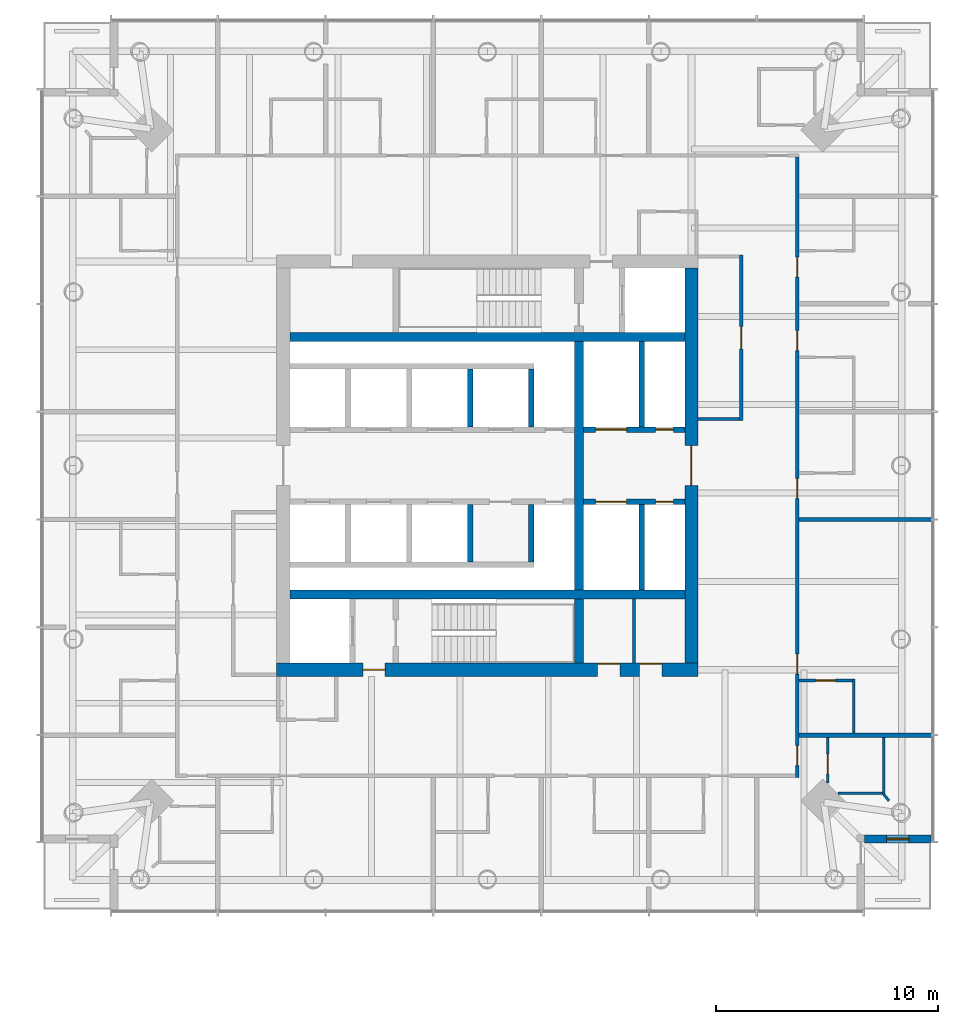
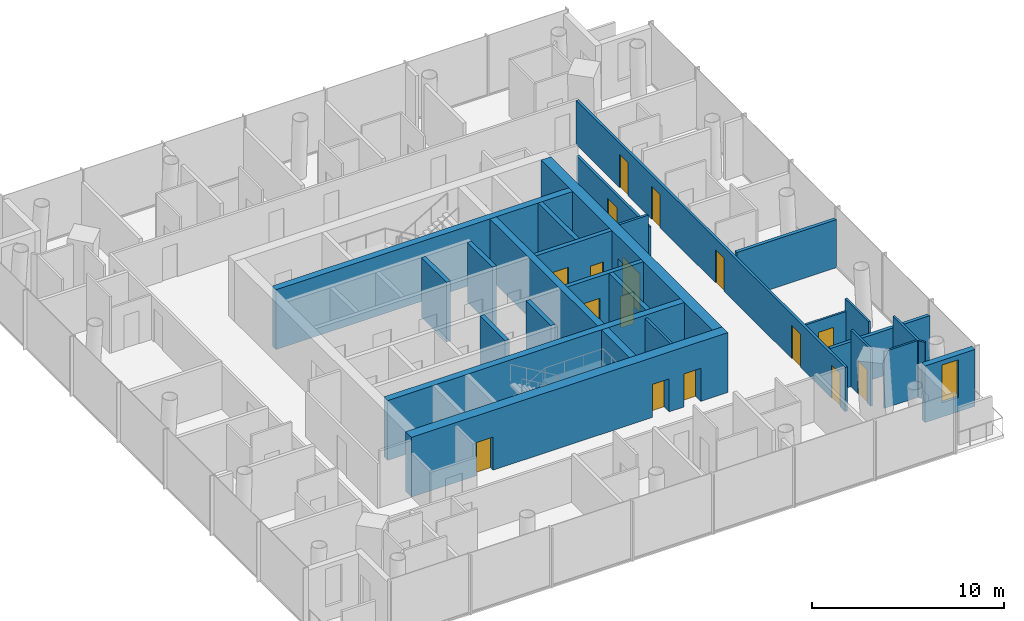
# One storey, part 15 of 20: 27 walls, 16 doors, 1 window, 17 openings.
"""IFC4 building model written with IfcOpenShell, lengths in metres."""

from ifc_helpers import new_model, si_unit, direction, frame, frame_2d, origin, place, context, subcontext, project, spatial, rectangle, extrude, material, layer, layer_set, type_object, element, fill, save


model = new_model("IFC4")

# Units and contexts
model_context = context("Model", 3, precision=1e-05, world=origin(), true_north=direction((0.0, 1.0)))
body_context = subcontext(model_context, "Body", "Model", "MODEL_VIEW")
ifc_project = project(units=[si_unit("LENGTHUNIT", "METRE"), si_unit("AREAUNIT", "SQUARE_METRE"), si_unit("VOLUMEUNIT", "CUBIC_METRE"), si_unit("PLANEANGLEUNIT", "RADIAN"), si_unit("MASSUNIT", "GRAM", prefix="KILO")], contexts=[model_context])

# Site, building, storey
site_placement = place(None, origin())
site = spatial("IfcSite", under=ifc_project, at=site_placement, CompositionType="ELEMENT")
building_placement = place(site_placement, origin())
building = spatial("IfcBuilding", under=site, at=building_placement, Name="Ostroluk Exchange", CompositionType="ELEMENT")
storey_placement = place(building_placement, frame((0.0, 0.0, 28.60009765625)))
storey = spatial("IfcBuildingStorey", under=building, at=storey_placement, Name="L06", CompositionType="ELEMENT", Elevation=28.60009765625)

# Walls
ifc_material_1 = material(Name="Concrete blockwork", Category="masonry")
ifc_layer_1 = layer(ifc_material_1, 0.14990234375)
ifc_layer_set_1 = layer_set([ifc_layer_1], Name="Blockwork plant room wall 150")
wall_type_1 = type_object("IfcWallType", Name="Blockwork plant room wall 150", PredefinedType="SOLIDWALL", material=ifc_layer_set_1)
wall_1_placement = place(storey_placement, frame((123.614990234375, 37.10009765625, 0.0), z_axis=(0.0, 0.0, 1.0), x_axis=(0.0, 1.0, 0.0)))
element("IfcWall", 1, at=wall_1_placement, inside=storey, type_object=wall_type_1, Name="Core room wall", PredefinedType="SOLIDWALL", context=body_context, shape_type="SweptSolid", body=[
    extrude(rectangle(XDim=2.89990234375, YDim=0.14990234375, at=frame_2d((1.449951171875, 0.0))), origin(), (0.0, 0.0, 1.0), 3.599853515625),
])
ifc_material_2 = material(Name="Concrete C50/60", Category="concrete")
ifc_layer_2 = layer(ifc_material_2, 0.39990234375)
ifc_layer_set_2 = layer_set([ifc_layer_2], Name="Core cross wall 400 C50/60")
wall_type_2 = type_object("IfcWallType", Name="Core cross wall 400 C50/60", PredefinedType="SHEAR", material=ifc_layer_set_2)
for number, where, z_axis, x_axis, name in (
    (2, (108.10009765625, 40.199951171875, 0.0), (0.0, 0.0, 1.0), (1.0, 0.0, 0.0), "T2 core wall XS"),
    (3, (108.10009765625, 51.800048828125, 0.0), (0.0, 0.0, 1.0), (1.0, 0.0, 0.0), "T2 core wall XN"),
):
    element("IfcWall", number, at=place(storey_placement, frame(where, z_axis=z_axis, x_axis=x_axis)), inside=storey, type_object=wall_type_2, Name=name, PredefinedType="SHEAR", context=body_context, shape_type="SweptSolid", body=[
        extrude(rectangle(XDim=17.7998046875, YDim=0.39990234375, at=frame_2d((8.89990234375, 0.0))), origin(), (0.0, 0.0, 1.0), 3.7998046875),
    ])
wall_2_placement = place(storey_placement, frame((121.1298828125, 37.10009765625, 0.0), z_axis=(0.0, 0.0, 1.0), x_axis=(0.0, 1.0, 0.0)))
element("IfcWall", 4, at=wall_2_placement, inside=storey, type_object=wall_type_2, Name="T2 core wall YE1", PredefinedType="SHEAR", context=body_context, shape_type="SweptSolid", body=[
    extrude(rectangle(XDim=2.89990234375, YDim=0.39990234375, at=frame_2d((1.449951171875, 0.0))), origin(), (0.0, 0.0, 1.0), 3.7998046875),
])
wall_3_placement = place(storey_placement, frame((121.1298828125, 40.39990234375, 0.0), z_axis=(0.0, 0.0, 1.0), x_axis=(0.0, 1.0, 0.0)))
element("IfcWall", 5, at=wall_3_placement, inside=storey, type_object=wall_type_2, Name="T2 core wall YE2", PredefinedType="SHEAR", context=body_context, shape_type="SweptSolid", body=[
    extrude(rectangle(XDim=11.2001953125, YDim=0.39990234375, at=frame_2d((5.60009765625, 0.0))), origin(), (0.0, 0.0, 1.0), 3.7998046875),
])
ifc_material_3 = material(Name="Concrete C40/50", Category="concrete")
ifc_layer_3 = layer(ifc_material_3, 0.25)
ifc_layer_set_3 = layer_set([ifc_layer_3], Name="Core shaft wall 250")
wall_type_3 = type_object("IfcWallType", Name="Core shaft wall 250", PredefinedType="SHEAR", material=ifc_layer_set_3)
for number, where, z_axis, x_axis, name in (
    (6, (116.22509765625, 47.75, 0.0), (0.0, 0.0, 1.0), (0.0, 1.0, 0.0), "Lift shaft wall"),
    (7, (118.97509765625, 47.75, 0.0), (0.0, 0.0, 1.0), (0.0, 1.0, 0.0), "Lift shaft wall"),
    (8, (116.22509765625, 44.25, 0.0), (0.0, 0.0, 1.0), (0.0, -1.0, 0.0), "Lift shaft wall"),
    (9, (118.97509765625, 44.25, 0.0), (0.0, 0.0, 1.0), (0.0, -1.0, 0.0), "Lift shaft wall"),
):
    element("IfcWall", number, at=place(storey_placement, frame(where, z_axis=z_axis, x_axis=x_axis)), inside=storey, type_object=wall_type_3, Name=name, PredefinedType="SHEAR", context=body_context, shape_type="SweptSolid", body=[
        extrude(rectangle(XDim=2.60009765625, YDim=0.25, at=frame_2d((1.300048828125, 0.0))), origin(), (0.0, 0.0, 1.0), 3.7998046875),
    ])
wall_4_placement = place(storey_placement, frame((123.955078125, 47.75, 0.0), z_axis=(0.0, 0.0, 1.0), x_axis=(0.0, 1.0, 0.0)))
element("IfcWall", 10, at=wall_4_placement, inside=storey, type_object=wall_type_3, Name="Lift shaft wall", PredefinedType="SHEAR", context=body_context, shape_type="SweptSolid", body=[
    extrude(rectangle(XDim=3.85009765625, YDim=0.25, at=frame_2d((1.925048828125, 0.0))), origin(), (0.0, 0.0, 1.0), 3.7998046875),
])

# Wall, openings, doors
wall_5_placement = place(storey_placement, frame((121.330078125, 47.625, 0.0), z_axis=(0.0, 0.0, 1.0), x_axis=(1.0, 0.0, 0.0)))
wall_5 = element("IfcWall", 11, at=wall_5_placement, inside=storey, type_object=wall_type_3, Name="Lift shaft front wall", PredefinedType="SHEAR", context=body_context, shape_type="SweptSolid", body=[
    extrude(rectangle(XDim=4.56982421875, YDim=0.25, at=frame_2d((2.284912109375, 0.0))), origin(), (0.0, 0.0, 1.0), 3.7998046875),
])
opening_1_placement = place(wall_5_placement, frame((0.550048828125, 0.0, 0.0)))
opening_1 = element("IfcOpeningElement", 12, at=opening_1_placement, cuts=wall_5, Name="Opening LD3", PredefinedType="OPENING", context=body_context, shape_type="SweptSolid", body=[
    extrude(rectangle(XDim=1.39990234375, YDim=2.39990234375, at=frame_2d((0.699951171875, 1.199951171875))), frame((0.0, 0.135009765625, 0.0), z_axis=(0.0, -1.0, 0.0), x_axis=(1.0, 0.0, 0.0)), (0.0, 0.0, 1.0), 0.27001953125),
])
opening_2_placement = place(wall_5_placement, frame((3.260009765625, 0.0, 0.0)))
opening_2 = element("IfcOpeningElement", 13, at=opening_2_placement, cuts=wall_5, Name="Opening RD60", PredefinedType="OPENING", context=body_context, shape_type="SweptSolid", body=[
    extrude(rectangle(XDim=0.800048828125, YDim=2.0, at=frame_2d((0.39990234375, 1.0))), frame((0.0, 0.135009765625, 0.0), z_axis=(0.0, -1.0, 0.0), x_axis=(1.0, 0.0, 0.0)), (0.0, 0.0, 1.0), 0.27001953125),
])
ifc_material_4 = material(Name="Stainless steel", Category="steel")
door_type_1 = type_object("IfcDoorType", Name="Goods lift landing door E 60 1400 x 2400", OperationType="DOUBLE_DOOR_SLIDING", PredefinedType="DOOR", material=ifc_material_4)
door_1_placement = place(opening_1_placement, origin())
door_1 = element("IfcDoor", 14, at=door_1_placement, inside=storey, type_object=door_type_1, Name="Lift HS1 landing door", OperationType="DOUBLE_DOOR_SLIDING", OverallHeight=2.39990234375, OverallWidth=1.39990234375, PredefinedType="DOOR", context=body_context, shape_type="SweptSolid", body=[
    extrude(rectangle(XDim=1.39990234375, YDim=2.39990234375, at=frame_2d((0.699951171875, 1.199951171875))), frame((0.0, 0.02490234375, 0.0), z_axis=(0.0, -1.0, 0.0), x_axis=(1.0, 0.0, 0.0)), (0.0, 0.0, 1.0), 0.050048828125),
])
fill(opening_1, door_1)
ifc_material_5 = material(Name="Steel", Category="steel")
door_type_2 = type_object("IfcDoorType", Name="Riser access door EI 60 800 x 2000", OperationType="SINGLE_SWING_LEFT", PredefinedType="DOOR", material=ifc_material_5)
door_2_placement = place(opening_2_placement, origin())
door_2 = element("IfcDoor", 15, at=door_2_placement, inside=storey, type_object=door_type_2, Name="Riser access door", OperationType="SINGLE_SWING_RIGHT", OverallHeight=2.0, OverallWidth=0.800048828125, PredefinedType="DOOR", context=body_context, shape_type="SweptSolid", body=[
    extrude(rectangle(XDim=0.800048828125, YDim=2.0, at=frame_2d((0.39990234375, 1.0))), frame((0.0, 0.02490234375, 0.0), z_axis=(0.0, -1.0, 0.0), x_axis=(1.0, 0.0, 0.0)), (0.0, 0.0, 1.0), 0.050048828125),
])
fill(opening_2, door_2)

# Wall
wall_6_placement = place(storey_placement, frame((123.955078125, 44.25, 0.0), z_axis=(0.0, 0.0, 1.0), x_axis=(0.0, -1.0, 0.0)))
element("IfcWall", 16, at=wall_6_placement, inside=storey, type_object=wall_type_3, Name="Lift shaft wall", PredefinedType="SHEAR", context=body_context, shape_type="SweptSolid", body=[
    extrude(rectangle(XDim=3.85009765625, YDim=0.25, at=frame_2d((1.925048828125, 0.0))), origin(), (0.0, 0.0, 1.0), 3.7998046875),
])

# Wall, openings, doors
wall_7_placement = place(storey_placement, frame((121.330078125, 44.375, 0.0), z_axis=(0.0, 0.0, 1.0), x_axis=(1.0, 0.0, 0.0)))
wall_7 = element("IfcWall", 17, at=wall_7_placement, inside=storey, type_object=wall_type_3, Name="Lift shaft front wall", PredefinedType="SHEAR", context=body_context, shape_type="SweptSolid", body=[
    extrude(rectangle(XDim=4.56982421875, YDim=0.25, at=frame_2d((2.284912109375, 0.0))), origin(), (0.0, 0.0, 1.0), 3.7998046875),
])
opening_3_placement = place(wall_7_placement, frame((0.550048828125, 0.0, 0.0)))
opening_3 = element("IfcOpeningElement", 18, at=opening_3_placement, cuts=wall_7, Name="Opening LD3", PredefinedType="OPENING", context=body_context, shape_type="SweptSolid", body=[
    extrude(rectangle(XDim=1.39990234375, YDim=2.39990234375, at=frame_2d((0.699951171875, 1.199951171875))), frame((0.0, 0.135009765625, 0.0), z_axis=(0.0, -1.0, 0.0), x_axis=(1.0, 0.0, 0.0)), (0.0, 0.0, 1.0), 0.27001953125),
])
opening_4_placement = place(wall_7_placement, frame((3.260009765625, 0.0, 0.0)))
opening_4 = element("IfcOpeningElement", 19, at=opening_4_placement, cuts=wall_7, Name="Opening RD60", PredefinedType="OPENING", context=body_context, shape_type="SweptSolid", body=[
    extrude(rectangle(XDim=0.800048828125, YDim=2.0, at=frame_2d((0.39990234375, 1.0))), frame((0.0, 0.135009765625, 0.0), z_axis=(0.0, -1.0, 0.0), x_axis=(1.0, 0.0, 0.0)), (0.0, 0.0, 1.0), 0.27001953125),
])
door_3_placement = place(opening_3_placement, origin())
door_3 = element("IfcDoor", 20, at=door_3_placement, inside=storey, type_object=door_type_1, Name="Lift HS2 landing door", OperationType="DOUBLE_DOOR_SLIDING", OverallHeight=2.39990234375, OverallWidth=1.39990234375, PredefinedType="DOOR", context=body_context, shape_type="SweptSolid", body=[
    extrude(rectangle(XDim=1.39990234375, YDim=2.39990234375, at=frame_2d((0.699951171875, 1.199951171875))), frame((0.0, 0.02490234375, 0.0), z_axis=(0.0, -1.0, 0.0), x_axis=(1.0, 0.0, 0.0)), (0.0, 0.0, 1.0), 0.050048828125),
])
fill(opening_3, door_3)
door_4_placement = place(opening_4_placement, origin())
door_4 = element("IfcDoor", 21, at=door_4_placement, inside=storey, type_object=door_type_2, Name="Riser access door", OperationType="SINGLE_SWING_RIGHT", OverallHeight=2.0, OverallWidth=0.800048828125, PredefinedType="DOOR", context=body_context, shape_type="SweptSolid", body=[
    extrude(rectangle(XDim=0.800048828125, YDim=2.0, at=frame_2d((0.39990234375, 1.0))), frame((0.0, 0.02490234375, 0.0), z_axis=(0.0, -1.0, 0.0), x_axis=(1.0, 0.0, 0.0)), (0.0, 0.0, 1.0), 0.050048828125),
])
fill(opening_4, door_4)

ifc_material_6 = material(Name="Concrete C50/60", Category="concrete")
ifc_layer_4 = layer(ifc_material_6, 0.60009765625)
ifc_layer_set_4 = layer_set([ifc_layer_4], Name="Core wall 600 C50/60")
wall_type_4 = type_object("IfcWallType", Name="Core wall 600 C50/60", PredefinedType="SHEAR", material=ifc_layer_set_4)
wall_8_placement = place(storey_placement, frame((107.5, 36.800048828125, 0.0), z_axis=(0.0, 0.0, 1.0), x_axis=(1.0, 0.0, 0.0)))
wall_8 = element("IfcWall", 22, at=wall_8_placement, inside=storey, type_object=wall_type_4, Name="T2 core wall S", PredefinedType="SHEAR", context=body_context, shape_type="SweptSolid", body=[
    extrude(rectangle(XDim=19.0, YDim=0.60009765625, at=frame_2d((9.5, 0.0))), origin(), (0.0, 0.0, 1.0), 3.7998046875),
])
opening_5_placement = place(wall_8_placement, frame((3.89990234375, 0.0, 0.0)))
opening_5 = element("IfcOpeningElement", 23, at=opening_5_placement, cuts=wall_8, Name="Opening FD60", PredefinedType="OPENING", context=body_context, shape_type="SweptSolid", body=[
    extrude(rectangle(XDim=1.0, YDim=2.10009765625, at=frame_2d((0.5, 1.050048828125))), frame((0.0, 0.31005859375, 0.0), z_axis=(0.0, -1.0, 0.0), x_axis=(1.0, 0.0, 0.0)), (0.0, 0.0, 1.0), 0.6201171875),
])
opening_6_placement = place(wall_8_placement, frame((14.472412109375, 0.0, 0.0)))
opening_6 = element("IfcOpeningElement", 24, at=opening_6_placement, cuts=wall_8, Name="Opening FD60", PredefinedType="OPENING", context=body_context, shape_type="SweptSolid", body=[
    extrude(rectangle(XDim=1.0, YDim=2.10009765625, at=frame_2d((0.5, 1.050048828125))), frame((0.0, 0.31005859375, 0.0), z_axis=(0.0, -1.0, 0.0), x_axis=(1.0, 0.0, 0.0)), (0.0, 0.0, 1.0), 0.6201171875),
])
opening_7_placement = place(wall_8_placement, frame((16.364990234375, 0.0, 0.0)))
opening_7 = element("IfcOpeningElement", 25, at=opening_7_placement, cuts=wall_8, Name="Opening FD60", PredefinedType="OPENING", context=body_context, shape_type="SweptSolid", body=[
    extrude(rectangle(XDim=1.0, YDim=2.10009765625, at=frame_2d((0.5, 1.050048828125))), frame((0.0, 0.31005859375, 0.0), z_axis=(0.0, -1.0, 0.0), x_axis=(1.0, 0.0, 0.0)), (0.0, 0.0, 1.0), 0.6201171875),
])
ifc_material_7 = material(Name="Steel", Category="steel")
door_type_3 = type_object("IfcDoorType", Name="Fire door EI 60 1000 x 2100", OperationType="SINGLE_SWING_LEFT", PredefinedType="DOOR", material=ifc_material_7)
door_5_placement = place(opening_5_placement, origin())
door_5 = element("IfcDoor", 26, at=door_5_placement, inside=storey, type_object=door_type_3, Name="Firefighting lobby door", OperationType="SINGLE_SWING_LEFT", OverallHeight=2.10009765625, OverallWidth=1.0, PredefinedType="DOOR", context=body_context, shape_type="SweptSolid", body=[
    extrude(rectangle(XDim=1.0, YDim=2.10009765625, at=frame_2d((0.5, 1.050048828125))), frame((0.0, 0.02490234375, 0.0), z_axis=(0.0, -1.0, 0.0), x_axis=(1.0, 0.0, 0.0)), (0.0, 0.0, 1.0), 0.050048828125),
])
fill(opening_5, door_5)
door_6_placement = place(opening_6_placement, origin())
door_6 = element("IfcDoor", 27, at=door_6_placement, inside=storey, type_object=door_type_3, Name="Room-service pantry door", OperationType="SINGLE_SWING_RIGHT", OverallHeight=2.10009765625, OverallWidth=1.0, PredefinedType="DOOR", context=body_context, shape_type="SweptSolid", body=[
    extrude(rectangle(XDim=1.0, YDim=2.10009765625, at=frame_2d((0.5, 1.050048828125))), frame((0.0, 0.2900390625, 0.0), z_axis=(0.0, -1.0, 0.0), x_axis=(1.0, 0.0, 0.0)), (0.0, 0.0, 1.0), 0.050048828125),
])
fill(opening_6, door_6)
door_7_placement = place(opening_7_placement, origin())
door_7 = element("IfcDoor", 28, at=door_7_placement, inside=storey, type_object=door_type_3, Name="Guest pantry door", OperationType="SINGLE_SWING_RIGHT", OverallHeight=2.10009765625, OverallWidth=1.0, PredefinedType="DOOR", context=body_context, shape_type="SweptSolid", body=[
    extrude(rectangle(XDim=1.0, YDim=2.10009765625, at=frame_2d((0.5, 1.050048828125))), frame((0.0, 0.2900390625, 0.0), z_axis=(0.0, -1.0, 0.0), x_axis=(1.0, 0.0, 0.0)), (0.0, 0.0, 1.0), 0.050048828125),
])
fill(opening_7, door_7)

# Wall, opening, door
wall_9_placement = place(storey_placement, frame((126.199951171875, 37.10009765625, 0.0), z_axis=(0.0, 0.0, 1.0), x_axis=(0.0, 1.0, 0.0)))
wall_9 = element("IfcWall", 29, at=wall_9_placement, inside=storey, type_object=wall_type_4, Name="T2 core wall E", PredefinedType="SHEAR", context=body_context, shape_type="SweptSolid", body=[
    extrude(rectangle(XDim=17.7998046875, YDim=0.60009765625, at=frame_2d((8.89990234375, 0.0))), origin(), (0.0, 0.0, 1.0), 3.7998046875),
])
opening_8_placement = place(wall_9_placement, frame((8.0, 0.0, 0.0)))
opening_8 = element("IfcOpeningElement", 30, at=opening_8_placement, cuts=wall_9, Name="Opening FD30D", PredefinedType="OPENING", context=body_context, shape_type="SweptSolid", body=[
    extrude(rectangle(XDim=1.800048828125, YDim=2.39990234375, at=frame_2d((0.89990234375, 1.199951171875))), frame((0.0, 0.31005859375, 0.0), z_axis=(0.0, -1.0, 0.0), x_axis=(1.0, 0.0, 0.0)), (0.0, 0.0, 1.0), 0.6201171875),
])
ifc_material_8 = material(Name="Timber", Category="wood")
door_type_4 = type_object("IfcDoorType", Name="Lobby double door EI 30 1800 x 2400", OperationType="DOUBLE_DOOR_SINGLE_SWING", PredefinedType="DOOR", material=ifc_material_8)
door_8_placement = place(opening_8_placement, origin())
door_8 = element("IfcDoor", 31, at=door_8_placement, inside=storey, type_object=door_type_4, Name="Lift lobby doors", OperationType="DOUBLE_DOOR_SINGLE_SWING", OverallHeight=2.39990234375, OverallWidth=1.800048828125, PredefinedType="DOOR", context=body_context, shape_type="SweptSolid", body=[
    extrude(rectangle(XDim=1.800048828125, YDim=2.39990234375, at=frame_2d((0.89990234375, 1.199951171875))), frame((0.0, 0.02490234375, 0.0), z_axis=(0.0, -1.0, 0.0), x_axis=(1.0, 0.0, 0.0)), (0.0, 0.0, 1.0), 0.050048828125),
])
fill(opening_8, door_8)

# Wall, opening, window
ifc_material_9 = material(Name="Limestone", Category="masonry")
ifc_layer_5 = layer(ifc_material_9, 0.35009765625)
ifc_layer_set_5 = layer_set([ifc_layer_5], Name="Limestone facade wall 350")
wall_type_5 = type_object("IfcWallType", Name="Limestone facade wall 350", PredefinedType="SOLIDWALL", material=ifc_layer_set_5)
wall_10_placement = place(storey_placement, frame((134.0, 29.175048828125, 0.0), z_axis=(0.0, 0.0, 1.0), x_axis=(1.0, 0.0, 0.0)))
wall_10 = element("IfcWall", 32, at=wall_10_placement, inside=storey, type_object=wall_type_5, Name="Hotel tower SE corner wall L06 b", PredefinedType="SOLIDWALL", context=body_context, shape_type="SweptSolid", body=[
    extrude(rectangle(XDim=3.0, YDim=0.35009765625, at=frame_2d((1.5, 0.0))), origin(), (0.0, 0.0, 1.0), 3.599853515625),
])
opening_9_placement = place(wall_10_placement, frame((1.0, 0.0, 0.89990234375)))
opening_9 = element("IfcOpeningElement", 33, at=opening_9_placement, cuts=wall_10, Name="Opening WN-L3", PredefinedType="OPENING", context=body_context, shape_type="SweptSolid", body=[
    extrude(rectangle(XDim=1.0, YDim=2.39990234375, at=frame_2d((0.5, 1.199951171875))), frame((0.0, 0.18505859375, 0.0), z_axis=(0.0, -1.0, 0.0), x_axis=(1.0, 0.0, 0.0)), (0.0, 0.0, 1.0), 0.3701171875),
])
ifc_material_10 = material(Name="Laminated clear glass", Category="glass")
window_type = type_object("IfcWindowType", Name="Hotel lancet window 1000 x 2400", PartitioningType="SINGLE_PANEL", PredefinedType="WINDOW", material=ifc_material_10)
window_placement = place(opening_9_placement, origin())
window = element("IfcWindow", 34, at=window_placement, inside=storey, type_object=window_type, Name="Hotel tower SE lancet window L06", OverallHeight=2.39990234375, OverallWidth=1.0, PartitioningType="SINGLE_PANEL", PredefinedType="WINDOW", context=body_context, shape_type="SweptSolid", body=[
    extrude(rectangle(XDim=1.0, YDim=2.39990234375, at=frame_2d((0.5, 1.199951171875))), frame((0.0, 0.030029296875, 0.0), z_axis=(0.0, -1.0, 0.0), x_axis=(1.0, 0.0, 0.0)), (0.0, 0.0, 1.0), 0.06005859375),
])
fill(opening_9, window)

# Wall, opening, door
ifc_material_11 = material(Name="Gypsum plasterboard partition, moisture resistant", Category="gypsum")
ifc_layer_6 = layer(ifc_material_11, 0.1201171875)
ifc_layer_set_6 = layer_set([ifc_layer_6], Name="Plasterboard en-suite wall 120")
wall_type_6 = type_object("IfcWallType", Name="Plasterboard en-suite wall 120", PredefinedType="PARTITIONING", material=ifc_layer_set_6)
wall_11_placement = place(storey_placement, frame((132.35009765625, 33.757080078125, 0.0), z_axis=(0.0, 0.0, 1.0), x_axis=(0.0, -1.0, 0.0)))
wall_11 = element("IfcWall", 35, at=wall_11_placement, inside=storey, type_object=wall_type_6, Name="En-suite wall", PredefinedType="PARTITIONING", context=body_context, shape_type="SweptSolid", body=[
    extrude(rectangle(XDim=2.05712890625, YDim=0.1201171875, at=frame_2d((1.028564453125, 0.0))), origin(), (0.0, 0.0, 1.0), 3.599853515625),
])
opening_10_placement = place(wall_11_placement, frame((0.75, 0.0, 0.0)))
opening_10 = element("IfcOpeningElement", 36, at=opening_10_placement, cuts=wall_11, Name="Opening D-02", PredefinedType="OPENING", context=body_context, shape_type="SweptSolid", body=[
    extrude(rectangle(XDim=0.89990234375, YDim=2.10009765625, at=frame_2d((0.449951171875, 1.050048828125))), frame((0.0, 0.070068359375, 0.0), z_axis=(0.0, -1.0, 0.0), x_axis=(1.0, 0.0, 0.0)), (0.0, 0.0, 1.0), 0.14013671875),
])
ifc_material_12 = material(Name="Timber", Category="wood")
door_type_5 = type_object("IfcDoorType", Name="En-suite door 900 x 2100", OperationType="SINGLE_SWING_LEFT", PredefinedType="DOOR", material=ifc_material_12)
door_9_placement = place(opening_10_placement, origin())
door_9 = element("IfcDoor", 37, at=door_9_placement, inside=storey, type_object=door_type_5, Name="En-suite door 601", OperationType="SINGLE_SWING_RIGHT", OverallHeight=2.10009765625, OverallWidth=0.89990234375, PredefinedType="DOOR", context=body_context, shape_type="SweptSolid", body=[
    extrude(rectangle(XDim=0.89990234375, YDim=2.10009765625, at=frame_2d((0.449951171875, 1.050048828125))), frame((0.0, 0.02490234375, 0.0), z_axis=(0.0, -1.0, 0.0), x_axis=(1.0, 0.0, 0.0)), (0.0, 0.0, 1.0), 0.050048828125),
])
fill(opening_10, door_9)

# Walls
wall_12_placement = place(storey_placement, frame((134.8701171875, 33.757080078125, 0.0), z_axis=(0.0, 0.0, 1.0), x_axis=(0.0, -1.0, 0.0)))
element("IfcWall", 38, at=wall_12_placement, inside=storey, type_object=wall_type_6, Name="En-suite wall", PredefinedType="PARTITIONING", context=body_context, shape_type="SweptSolid", body=[
    extrude(rectangle(XDim=2.579833984375, YDim=0.1201171875, at=frame_2d((1.2900390625, 0.0))), origin(), (0.0, 0.0, 1.0), 3.599853515625),
])
wall_13_placement = place(storey_placement, frame((132.812744140625, 31.237060546875, 0.0), z_axis=(0.0, 0.0, 1.0), x_axis=(1.0, 0.0, 0.0)))
element("IfcWall", 39, at=wall_13_placement, inside=storey, type_object=wall_type_6, Name="En-suite wall", PredefinedType="PARTITIONING", context=body_context, shape_type="SweptSolid", body=[
    extrude(rectangle(XDim=1.997314453125, YDim=0.1201171875, at=frame_2d((0.99853515625, 0.0))), origin(), (0.0, 0.0, 1.0), 3.599853515625),
])
wall_14_placement = place(storey_placement, frame((133.510009765625, 33.95703125, 0.0), z_axis=(0.0, 0.0, 1.0), x_axis=(0.0, 1.0, 0.0)))
element("IfcWall", 40, at=wall_14_placement, inside=storey, type_object=wall_type_6, Name="En-suite wall", PredefinedType="PARTITIONING", context=body_context, shape_type="SweptSolid", body=[
    extrude(rectangle(XDim=2.420166015625, YDim=0.1201171875, at=frame_2d((1.2099609375, 0.0))), origin(), (0.0, 0.0, 1.0), 3.599853515625),
])

# Wall, opening, door
wall_15_placement = place(storey_placement, frame((131.050048828125, 36.317138671875, 0.0), z_axis=(0.0, 0.0, 1.0), x_axis=(1.0, 0.0, 0.0)))
wall_15 = element("IfcWall", 41, at=wall_15_placement, inside=storey, type_object=wall_type_6, Name="En-suite wall", PredefinedType="PARTITIONING", context=body_context, shape_type="SweptSolid", body=[
    extrude(rectangle(XDim=2.39990234375, YDim=0.1201171875, at=frame_2d((1.199951171875, 0.0))), origin(), (0.0, 0.0, 1.0), 2.846923828125),
])
opening_11_placement = place(wall_15_placement, frame((0.75, 0.0, 0.0)))
opening_11 = element("IfcOpeningElement", 42, at=opening_11_placement, cuts=wall_15, Name="Opening D-02", PredefinedType="OPENING", context=body_context, shape_type="SweptSolid", body=[
    extrude(rectangle(XDim=0.89990234375, YDim=2.10009765625, at=frame_2d((0.449951171875, 1.050048828125))), frame((0.0, 0.070068359375, 0.0), z_axis=(0.0, -1.0, 0.0), x_axis=(1.0, 0.0, 0.0)), (0.0, 0.0, 1.0), 0.14013671875),
])
door_10_placement = place(opening_11_placement, origin())
door_10 = element("IfcDoor", 43, at=door_10_placement, inside=storey, type_object=door_type_5, Name="En-suite door 602", OperationType="SINGLE_SWING_RIGHT", OverallHeight=2.10009765625, OverallWidth=0.89990234375, PredefinedType="DOOR", context=body_context, shape_type="SweptSolid", body=[
    extrude(rectangle(XDim=0.89990234375, YDim=2.10009765625, at=frame_2d((0.449951171875, 1.050048828125))), frame((0.0, 0.02490234375, 0.0), z_axis=(0.0, -1.0, 0.0), x_axis=(1.0, 0.0, 0.0)), (0.0, 0.0, 1.0), 0.050048828125),
])
fill(opening_11, door_10)

# Wall
wall_16_placement = place(storey_placement, frame((134.8701171875, 31.17724609375, 0.0), z_axis=(0.0, 0.0, 1.0), x_axis=(0.638860529582, -0.76932257457, 0.0)))
element("IfcWall", 44, at=wall_16_placement, inside=storey, type_object=wall_type_6, Name="En-suite wall", PredefinedType="PARTITIONING", context=body_context, shape_type="SweptSolid", body=[
    extrude(rectangle(XDim=0.363037109375, YDim=0.1201171875, at=frame_2d((0.181640625, 0.0))), origin(), (0.0, 0.0, 1.0), 3.599853515625),
])

# Wall, opening, door
ifc_material_13 = material(Name="Gypsum plasterboard partition", Category="gypsum")
ifc_layer_7 = layer(ifc_material_13, 0.14990234375)
ifc_layer_set_7 = layer_set([ifc_layer_7], Name="Plasterboard partition 150")
wall_type_7 = type_object("IfcWallType", Name="Plasterboard partition 150", PredefinedType="PARTITIONING", material=ifc_layer_set_7)
wall_17_placement = place(storey_placement, frame((128.449951171875, 48.02490234375, 0.0), z_axis=(0.0, 0.0, 1.0), x_axis=(0.0, 1.0, 0.0)))
wall_17 = element("IfcWall", 45, at=wall_17_placement, inside=storey, type_object=wall_type_7, Name="Partition", PredefinedType="PARTITIONING", context=body_context, shape_type="SweptSolid", body=[
    extrude(rectangle(XDim=7.47509765625, YDim=0.14990234375, at=frame_2d((3.737548828125, 0.0))), origin(), (0.0, 0.0, 1.0), 2.846923828125),
])
opening_12_placement = place(wall_17_placement, frame((3.237548828125, 0.0, 0.0)))
opening_12 = element("IfcOpeningElement", 46, at=opening_12_placement, cuts=wall_17, Name="Opening D-03", PredefinedType="OPENING", context=body_context, shape_type="SweptSolid", body=[
    extrude(rectangle(XDim=1.0, YDim=2.10009765625, at=frame_2d((0.5, 1.050048828125))), frame((0.0, 0.0849609375, 0.0), z_axis=(0.0, -1.0, 0.0), x_axis=(1.0, 0.0, 0.0)), (0.0, 0.0, 1.0), 0.169921875),
])
ifc_material_14 = material(Name="Timber", Category="wood")
door_type_6 = type_object("IfcDoorType", Name="Internal door 1000 x 2100", OperationType="SINGLE_SWING_LEFT", PredefinedType="DOOR", material=ifc_material_14)
door_11_placement = place(opening_12_placement, origin())
door_11 = element("IfcDoor", 47, at=door_11_placement, inside=storey, type_object=door_type_6, Name="Vending and ice room door", OperationType="SINGLE_SWING_LEFT", OverallHeight=2.10009765625, OverallWidth=1.0, PredefinedType="DOOR", context=body_context, shape_type="SweptSolid", body=[
    extrude(rectangle(XDim=1.0, YDim=2.10009765625, at=frame_2d((0.5, 1.050048828125))), frame((0.0, 0.02490234375, 0.0), z_axis=(0.0, -1.0, 0.0), x_axis=(1.0, 0.0, 0.0)), (0.0, 0.0, 1.0), 0.050048828125),
])
fill(opening_12, door_11)

# Wall
wall_18_placement = place(storey_placement, frame((126.5, 48.10009765625, 0.0), z_axis=(0.0, 0.0, 1.0), x_axis=(1.0, 0.0, 0.0)))
element("IfcWall", 48, at=wall_18_placement, inside=storey, type_object=wall_type_7, Name="Partition", PredefinedType="PARTITIONING", context=body_context, shape_type="SweptSolid", body=[
    extrude(rectangle(XDim=1.875, YDim=0.14990234375, at=frame_2d((0.9375, 0.0))), origin(), (0.0, 0.0, 1.0), 3.599853515625),
])

# Wall, openings, doors
wall_19_placement = place(storey_placement, frame((130.97509765625, 31.949951171875, 0.0), z_axis=(0.0, 0.0, 1.0), x_axis=(0.0, 1.0, 0.0)))
wall_19 = element("IfcWall", 49, at=wall_19_placement, inside=storey, type_object=wall_type_7, Name="Corridor wall", PredefinedType="PARTITIONING", context=body_context, shape_type="SweptSolid", body=[
    extrude(rectangle(XDim=27.949951171875, YDim=0.14990234375, at=frame_2d((13.97509765625, 0.0))), origin(), (0.0, 0.0, 1.0), 2.7998046875),
])
opening_13_placement = place(wall_19_placement, frame((0.528564453125, 0.0, 0.0)))
opening_13 = element("IfcOpeningElement", 50, at=opening_13_placement, cuts=wall_19, Name="Opening D-01", PredefinedType="OPENING", context=body_context, shape_type="SweptSolid", body=[
    extrude(rectangle(XDim=0.89990234375, YDim=2.10009765625, at=frame_2d((0.449951171875, 1.050048828125))), frame((0.0, 0.0849609375, 0.0), z_axis=(0.0, -1.0, 0.0), x_axis=(1.0, 0.0, 0.0)), (0.0, 0.0, 1.0), 0.169921875),
])
opening_14_placement = place(wall_19_placement, frame((4.6572265625, 0.0, 0.0)))
opening_14 = element("IfcOpeningElement", 51, at=opening_14_placement, cuts=wall_19, Name="Opening D-01", PredefinedType="OPENING", context=body_context, shape_type="SweptSolid", body=[
    extrude(rectangle(XDim=0.89990234375, YDim=2.10009765625, at=frame_2d((0.449951171875, 1.050048828125))), frame((0.0, 0.0849609375, 0.0), z_axis=(0.0, -1.0, 0.0), x_axis=(1.0, 0.0, 0.0)), (0.0, 0.0, 1.0), 0.169921875),
])
opening_15_placement = place(wall_19_placement, frame((12.57861328125, 0.0, 0.0)))
opening_15 = element("IfcOpeningElement", 52, at=opening_15_placement, cuts=wall_19, Name="Opening D-01", PredefinedType="OPENING", context=body_context, shape_type="SweptSolid", body=[
    extrude(rectangle(XDim=0.89990234375, YDim=2.10009765625, at=frame_2d((0.449951171875, 1.050048828125))), frame((0.0, 0.0849609375, 0.0), z_axis=(0.0, -1.0, 0.0), x_axis=(1.0, 0.0, 0.0)), (0.0, 0.0, 1.0), 0.169921875),
])
opening_16_placement = place(wall_19_placement, frame((19.228515625, 0.0, 0.0)))
opening_16 = element("IfcOpeningElement", 53, at=opening_16_placement, cuts=wall_19, Name="Opening D-01", PredefinedType="OPENING", context=body_context, shape_type="SweptSolid", body=[
    extrude(rectangle(XDim=0.89990234375, YDim=2.10009765625, at=frame_2d((0.449951171875, 1.050048828125))), frame((0.0, 0.0849609375, 0.0), z_axis=(0.0, -1.0, 0.0), x_axis=(1.0, 0.0, 0.0)), (0.0, 0.0, 1.0), 0.169921875),
])
opening_17_placement = place(wall_19_placement, frame((22.54296875, 0.0, 0.0)))
opening_17 = element("IfcOpeningElement", 54, at=opening_17_placement, cuts=wall_19, Name="Opening D-01", PredefinedType="OPENING", context=body_context, shape_type="SweptSolid", body=[
    extrude(rectangle(XDim=0.89990234375, YDim=2.10009765625, at=frame_2d((0.449951171875, 1.050048828125))), frame((0.0, 0.0849609375, 0.0), z_axis=(0.0, -1.0, 0.0), x_axis=(1.0, 0.0, 0.0)), (0.0, 0.0, 1.0), 0.169921875),
])
ifc_material_15 = material(Name="Timber", Category="wood")
door_type_7 = type_object("IfcDoorType", Name="Hotel room door EI 30 Sa 900 x 2100", OperationType="SINGLE_SWING_LEFT", PredefinedType="DOOR", material=ifc_material_15)
door_12_placement = place(opening_13_placement, origin())
door_12 = element("IfcDoor", 55, at=door_12_placement, inside=storey, type_object=door_type_7, Name="Room door 601", OperationType="SINGLE_SWING_LEFT", OverallHeight=2.10009765625, OverallWidth=0.89990234375, PredefinedType="DOOR", context=body_context, shape_type="SweptSolid", body=[
    extrude(rectangle(XDim=0.89990234375, YDim=2.10009765625, at=frame_2d((0.449951171875, 1.050048828125))), frame((0.0, 0.02490234375, 0.0), z_axis=(0.0, -1.0, 0.0), x_axis=(1.0, 0.0, 0.0)), (0.0, 0.0, 1.0), 0.050048828125),
])
fill(opening_13, door_12)
door_13_placement = place(opening_14_placement, origin())
door_13 = element("IfcDoor", 56, at=door_13_placement, inside=storey, type_object=door_type_7, Name="Room door 602", OperationType="SINGLE_SWING_LEFT", OverallHeight=2.10009765625, OverallWidth=0.89990234375, PredefinedType="DOOR", context=body_context, shape_type="SweptSolid", body=[
    extrude(rectangle(XDim=0.89990234375, YDim=2.10009765625, at=frame_2d((0.449951171875, 1.050048828125))), frame((0.0, 0.02490234375, 0.0), z_axis=(0.0, -1.0, 0.0), x_axis=(1.0, 0.0, 0.0)), (0.0, 0.0, 1.0), 0.050048828125),
])
fill(opening_14, door_13)
door_14_placement = place(opening_15_placement, origin())
door_14 = element("IfcDoor", 57, at=door_14_placement, inside=storey, type_object=door_type_7, Name="Room door 603", OperationType="SINGLE_SWING_LEFT", OverallHeight=2.10009765625, OverallWidth=0.89990234375, PredefinedType="DOOR", context=body_context, shape_type="SweptSolid", body=[
    extrude(rectangle(XDim=0.89990234375, YDim=2.10009765625, at=frame_2d((0.449951171875, 1.050048828125))), frame((0.0, 0.02490234375, 0.0), z_axis=(0.0, -1.0, 0.0), x_axis=(1.0, 0.0, 0.0)), (0.0, 0.0, 1.0), 0.050048828125),
])
fill(opening_15, door_14)
door_15_placement = place(opening_16_placement, origin())
door_15 = element("IfcDoor", 58, at=door_15_placement, inside=storey, type_object=door_type_7, Name="Room door 604", OperationType="SINGLE_SWING_RIGHT", OverallHeight=2.10009765625, OverallWidth=0.89990234375, PredefinedType="DOOR", context=body_context, shape_type="SweptSolid", body=[
    extrude(rectangle(XDim=0.89990234375, YDim=2.10009765625, at=frame_2d((0.449951171875, 1.050048828125))), frame((0.0, 0.02490234375, 0.0), z_axis=(0.0, -1.0, 0.0), x_axis=(1.0, 0.0, 0.0)), (0.0, 0.0, 1.0), 0.050048828125),
])
fill(opening_16, door_15)
door_16_placement = place(opening_17_placement, origin())
door_16 = element("IfcDoor", 59, at=door_16_placement, inside=storey, type_object=door_type_7, Name="Room door 605", OperationType="SINGLE_SWING_RIGHT", OverallHeight=2.10009765625, OverallWidth=0.89990234375, PredefinedType="DOOR", context=body_context, shape_type="SweptSolid", body=[
    extrude(rectangle(XDim=0.89990234375, YDim=2.10009765625, at=frame_2d((0.449951171875, 1.050048828125))), frame((0.0, 0.02490234375, 0.0), z_axis=(0.0, -1.0, 0.0), x_axis=(1.0, 0.0, 0.0)), (0.0, 0.0, 1.0), 0.050048828125),
])
fill(opening_17, door_16)

# Walls
ifc_material_16 = material(Name="Gypsum plasterboard partition", Category="gypsum")
ifc_layer_8 = layer(ifc_material_16, 0.199951171875)
ifc_layer_set_8 = layer_set([ifc_layer_8], Name="Plasterboard party wall 200")
wall_type_8 = type_object("IfcWallType", Name="Plasterboard party wall 200", PredefinedType="PARTITIONING", material=ifc_layer_set_8)
wall_20_placement = place(storey_placement, frame((131.050048828125, 33.857177734375, 0.0), z_axis=(0.0, 0.0, 1.0), x_axis=(1.0, 0.0, 0.0)))
element("IfcWall", 60, at=wall_20_placement, inside=storey, type_object=wall_type_8, Name="Party wall", PredefinedType="PARTITIONING", context=body_context, shape_type="SweptSolid", body=[
    extrude(rectangle(XDim=5.989990234375, YDim=0.199951171875, at=frame_2d((2.9951171875, 0.0))), origin(), (0.0, 0.0, 1.0), 2.846923828125),
])
wall_21_placement = place(storey_placement, frame((131.050048828125, 43.571533203125, 0.0), z_axis=(0.0, 0.0, 1.0), x_axis=(1.0, 0.0, 0.0)))
element("IfcWall", 61, at=wall_21_placement, inside=storey, type_object=wall_type_8, Name="Party wall", PredefinedType="PARTITIONING", context=body_context, shape_type="SweptSolid", body=[
    extrude(rectangle(XDim=5.989990234375, YDim=0.199951171875, at=frame_2d((2.9951171875, 0.0))), origin(), (0.0, 0.0, 1.0), 3.0498046875),
])

save(model, "model.ifc")
